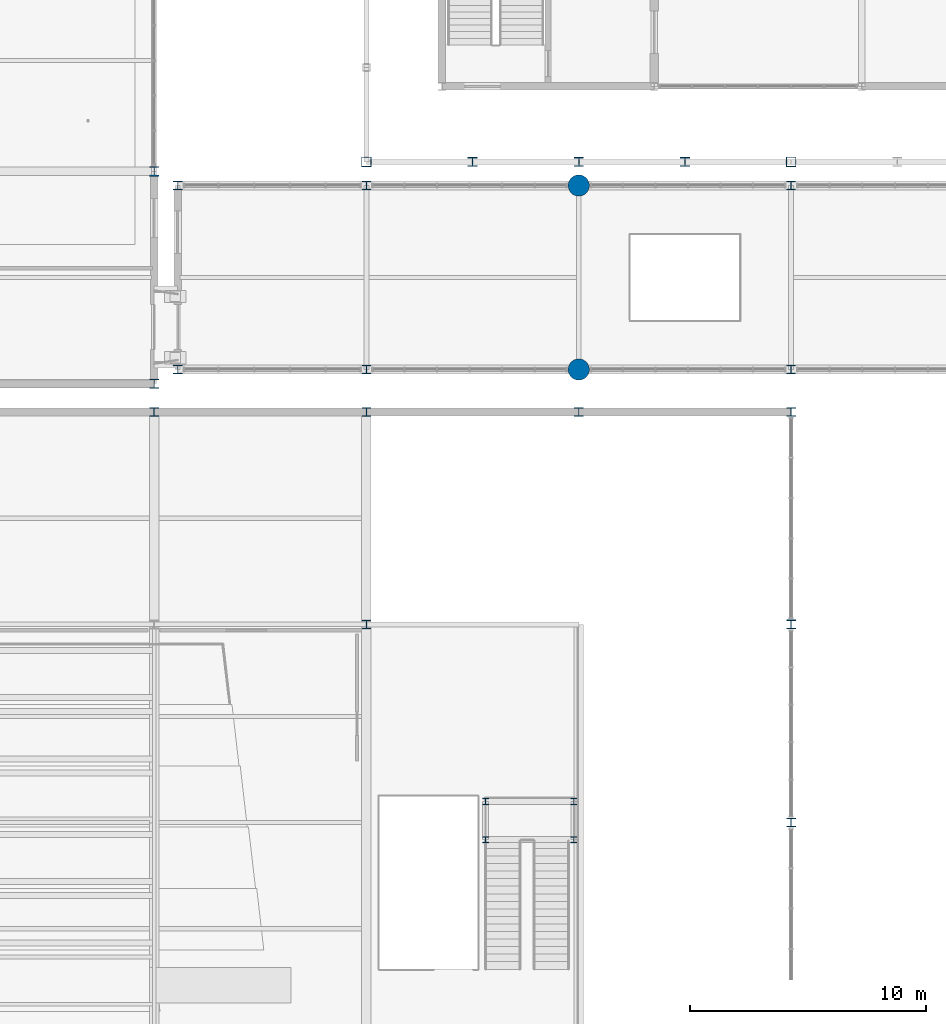
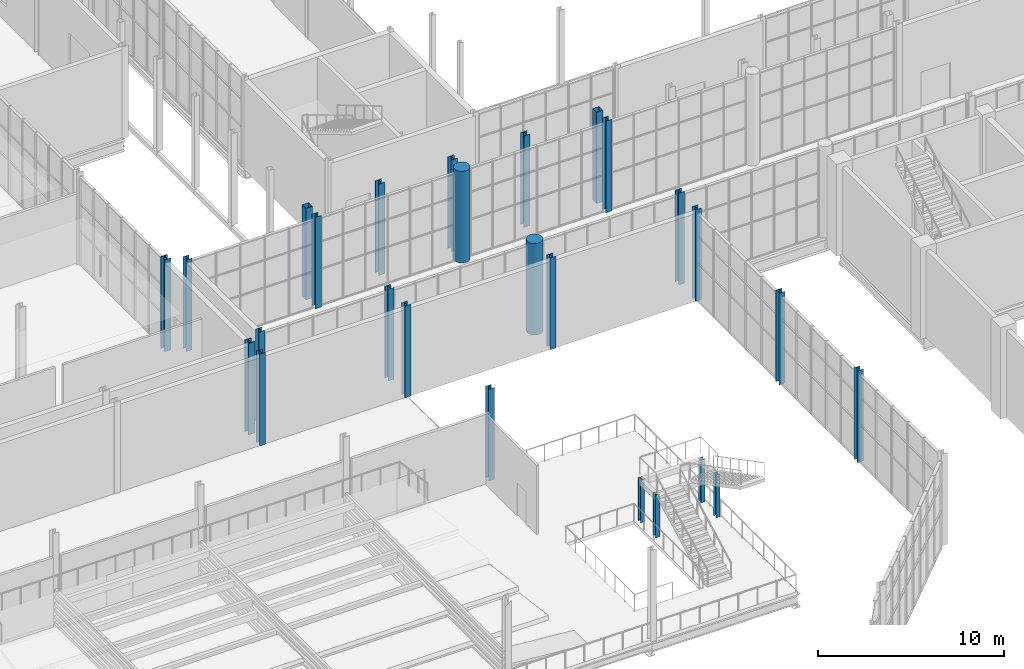
# One storey, part 4 of 159: 26 columns.
"""IFC4 building model written with IfcOpenShell, lengths in metres."""

from ifc_helpers import new_model, si_unit, direction, frame, origin, origin_2d, place, context, subcontext, project, spatial, hollow_rectangle, circle, i_section, extrude, material, material_profile, profile_set, type_object, element, save


model = new_model("IFC4")

# Units and contexts
model_context = context("Model", 3, precision=1e-05, world=origin(), true_north=direction((0.0, 1.0)))
body_context = subcontext(model_context, "Body", "Model", "MODEL_VIEW")
ifc_project = project(units=[si_unit("LENGTHUNIT", "METRE"), si_unit("AREAUNIT", "SQUARE_METRE"), si_unit("VOLUMEUNIT", "CUBIC_METRE"), si_unit("PLANEANGLEUNIT", "RADIAN"), si_unit("MASSUNIT", "GRAM", prefix="KILO")], contexts=[model_context])

# Site, building, storey
site_placement = place(None, origin())
site = spatial("IfcSite", under=ifc_project, at=site_placement, CompositionType="ELEMENT")
building_placement = place(site_placement, origin())
building = spatial("IfcBuilding", under=site, at=building_placement, Name="Cazmaro Siding Exhibition Halls", CompositionType="ELEMENT")
storey_placement = place(building_placement, frame((0.0, 0.0, 6.0)))
storey = spatial("IfcBuildingStorey", under=building, at=storey_placement, Name="L01", CompositionType="ELEMENT", Elevation=6.0)

# Columns
ifc_material_1 = material(Name="Steel ASTM A992 Grade 50", Category="steel")
ifc_material_profile_1 = material_profile(ifc_material_1, i_section(OverallWidth=0.406005859375, OverallDepth=0.416015625, WebThickness=0.030029296875, FlangeThickness=0.048095703125, at=origin_2d()), Name="W14X257")
ifc_profile_set_1 = profile_set([ifc_material_profile_1], Name="Steel ASTM A992 Grade 50")
column_type_1 = type_object("IfcColumnType", Name="C-01", PredefinedType="COLUMN", material=ifc_profile_set_1)
for number, where, z_axis, x_axis, name in (
    (1, (36.0, 54.60009765625, 0.0), (0.0, 0.0, 1.0), (1.0, 0.0, 0.0), "Column C-01 COL-1042"),
    (2, (36.0, 63.60009765625, 0.0), (0.0, 0.0, 1.0), (1.0, 0.0, 0.0), "Column C-01 COL-1046"),
):
    element("IfcColumn", number, at=place(storey_placement, frame(where, z_axis=z_axis, x_axis=x_axis)), inside=storey, type_object=column_type_1, Name=name, PredefinedType="COLUMN", context=body_context, shape_type="SweptSolid", body=[
        extrude(i_section(OverallWidth=0.406005859375, OverallDepth=0.416015625, WebThickness=0.030029296875, FlangeThickness=0.048095703125, at=origin_2d()), origin(), (0.0, 0.0, 1.0), 6.0),
    ])
ifc_material_2 = material(Name="Steel ASTM A992 Grade 50", Category="steel")
ifc_material_profile_2 = material_profile(ifc_material_2, i_section(OverallWidth=0.39208984375, OverallDepth=0.3759765625, WebThickness=0.01708984375, FlangeThickness=0.028076171875, at=origin_2d()), Name="W14X145")
ifc_profile_set_2 = profile_set([ifc_material_profile_2], Name="Steel ASTM A992 Grade 50")
column_type_2 = type_object("IfcColumnType", Name="C-03", PredefinedType="COLUMN", material=ifc_profile_set_2)
for number, where, z_axis, x_axis, name in (
    (3, (49.5, 64.0, 0.0), (0.0, 0.0, 1.0), (1.0, 0.0, 0.0), "Column C-03 COL-0008"),
    (4, (58.5, 64.0, 0.0), (0.0, 0.0, 1.0), (1.0, 0.0, 0.0), "Column C-03 COL-0020"),
):
    element("IfcColumn", number, at=place(storey_placement, frame(where, z_axis=z_axis, x_axis=x_axis)), inside=storey, type_object=column_type_2, Name=name, PredefinedType="COLUMN", context=body_context, shape_type="SweptSolid", body=[
        extrude(i_section(OverallWidth=0.39208984375, OverallDepth=0.3759765625, WebThickness=0.01708984375, FlangeThickness=0.028076171875, at=origin_2d()), origin(), (0.0, 0.0, 1.0), 6.0),
    ])
ifc_material_3 = material(Name="Steel ASTM A992 Grade 50", Category="steel")
ifc_material_profile_3 = material_profile(ifc_material_3, i_section(OverallWidth=0.373046875, OverallDepth=0.373046875, WebThickness=0.01611328125, FlangeThickness=0.02587890625, at=origin_2d()), Name="W14X132")
ifc_profile_set_3 = profile_set([ifc_material_profile_3], Name="Steel ASTM A992 Grade 50")
column_type_3 = type_object("IfcColumnType", Name="C-04", PredefinedType="COLUMN", material=ifc_profile_set_3)
for number, where, z_axis, x_axis, name in (
    (5, (63.0, 36.0, 0.0), (0.0, 0.0, 1.0), (1.0, 0.0, 0.0), "Column C-04 COL-0818"),
    (6, (63.0, 44.39990234375, 0.0), (0.0, 0.0, 1.0), (1.0, 0.0, 0.0), "Column C-04 COL-0821"),
    (7, (63.0, 53.39990234375, 0.0), (0.0, 0.0, 1.0), (1.0, 0.0, 0.0), "Column C-04 COL-0824"),
    (8, (54.0, 53.39990234375, 0.0), (0.0, 0.0, 1.0), (1.0, 0.0, 0.0), "Column C-04 COL-0827"),
    (9, (45.0, 53.39990234375, 0.0), (0.0, 0.0, 1.0), (1.0, 0.0, 0.0), "Column C-04 COL-0830"),
    (10, (36.0, 53.39990234375, 0.0), (0.0, 0.0, 1.0), (1.0, 0.0, 0.0), "Column C-04 COL-0833"),
):
    element("IfcColumn", number, at=place(storey_placement, frame(where, z_axis=z_axis, x_axis=x_axis)), inside=storey, type_object=column_type_3, Name=name, PredefinedType="COLUMN", context=body_context, shape_type="SweptSolid", body=[
        extrude(i_section(OverallWidth=0.373046875, OverallDepth=0.373046875, WebThickness=0.01611328125, FlangeThickness=0.02587890625, at=origin_2d()), origin(), (0.0, 0.0, 1.0), 6.0),
    ])
ifc_material_4 = material(Name="Steel ASTM A992 Grade 50", Category="steel")
ifc_material_profile_4 = material_profile(ifc_material_4, i_section(OverallWidth=0.367919921875, OverallDepth=0.35595703125, WebThickness=0.010986328125, FlangeThickness=0.01806640625, at=origin_2d()), Name="W14X90")
ifc_profile_set_4 = profile_set([ifc_material_profile_4], Name="Steel ASTM A992 Grade 50")
column_type_4 = type_object("IfcColumnType", Name="C-05", PredefinedType="COLUMN", material=ifc_profile_set_4)
column_1_placement = place(storey_placement, frame((45.0, 44.39990234375, 0.0), z_axis=(0.0, 0.0, 1.0), x_axis=(1.0, 0.0, 0.0)))
element("IfcColumn", 11, at=column_1_placement, inside=storey, type_object=column_type_4, Name="Column C-05 COL-0878", PredefinedType="COLUMN", context=body_context, shape_type="SweptSolid", body=[
    extrude(i_section(OverallWidth=0.367919921875, OverallDepth=0.35595703125, WebThickness=0.010986328125, FlangeThickness=0.01806640625, at=origin_2d()), origin(), (0.0, 0.0, 1.0), 6.0),
])
ifc_material_5 = material(Name="Concrete f'c 45 MPa", Category="concrete")
ifc_material_profile_5 = material_profile(ifc_material_5, circle(Radius=0.449951171875, at=origin_2d()), Name="RC900DIA")
ifc_profile_set_5 = profile_set([ifc_material_profile_5], Name="Concrete f'c 45 MPa")
column_type_5 = type_object("IfcColumnType", Name="C-09", PredefinedType="COLUMN", material=ifc_profile_set_5)
for number, where, z_axis, x_axis, name in (
    (12, (54.0, 55.199951171875, 0.0), (0.0, 0.0, 1.0), (1.0, 0.0, 0.0), "Column C-09 COL-0718"),
    (13, (54.0, 63.0, 0.0), (0.0, 0.0, 1.0), (1.0, 0.0, 0.0), "Column C-09 COL-0721"),
):
    element("IfcColumn", number, at=place(storey_placement, frame(where, z_axis=z_axis, x_axis=x_axis)), inside=storey, type_object=column_type_5, Name=name, PredefinedType="COLUMN", context=body_context, shape_type="SweptSolid", body=[
        extrude(circle(Radius=0.449951171875, at=origin_2d()), origin(), (0.0, 0.0, 1.0), 6.0),
    ])
ifc_material_6 = material(Name="Steel ASTM A992 Grade 50", Category="steel")
ifc_material_profile_6 = material_profile(ifc_material_6, i_section(OverallWidth=0.39892578125, OverallDepth=0.386962890625, WebThickness=0.02099609375, FlangeThickness=0.032958984375, at=origin_2d()), Name="W14X176")
ifc_profile_set_6 = profile_set([ifc_material_profile_6], Name="Steel ASTM A992 Grade 50")
column_type_6 = type_object("IfcColumnType", Name="C-11", PredefinedType="COLUMN", material=ifc_profile_set_6)
column_2_placement = place(storey_placement, frame((54.0, 64.0, 0.0), z_axis=(0.0, 0.0, 1.0), x_axis=(1.0, 0.0, 0.0)))
element("IfcColumn", 14, at=column_2_placement, inside=storey, type_object=column_type_6, Name="Column C-11 COL-0014", PredefinedType="COLUMN", context=body_context, shape_type="SweptSolid", body=[
    extrude(i_section(OverallWidth=0.39892578125, OverallDepth=0.386962890625, WebThickness=0.02099609375, FlangeThickness=0.032958984375, at=origin_2d()), origin(), (0.0, 0.0, 1.0), 6.0),
])
ifc_material_7 = material(Name="Steel ASTM A992 Grade 50", Category="steel")
ifc_material_profile_7 = material_profile(ifc_material_7, i_section(OverallWidth=0.37109375, OverallDepth=0.364013671875, WebThickness=0.012939453125, FlangeThickness=0.02197265625, at=origin_2d()), Name="W14X109")
ifc_profile_set_7 = profile_set([ifc_material_profile_7], Name="Steel ASTM A992 Grade 50")
column_type_7 = type_object("IfcColumnType", Name="C-12", PredefinedType="COLUMN", material=ifc_profile_set_7)
for number, where, z_axis, x_axis, name in (
    (15, (37.0, 55.199951171875, 0.0), (0.0, 0.0, 1.0), (1.0, 0.0, 0.0), "Column C-12 COL-0706"),
    (16, (37.0, 63.0, 0.0), (0.0, 0.0, 1.0), (1.0, 0.0, 0.0), "Column C-12 COL-0709"),
    (17, (45.0, 55.199951171875, 0.0), (0.0, 0.0, 1.0), (1.0, 0.0, 0.0), "Column C-12 COL-0712"),
    (18, (45.0, 63.0, 0.0), (0.0, 0.0, 1.0), (1.0, 0.0, 0.0), "Column C-12 COL-0715"),
    (19, (63.0, 55.199951171875, 0.0), (0.0, 0.0, 1.0), (1.0, 0.0, 0.0), "Column C-12 COL-0724"),
    (20, (63.0, 63.0, 0.0), (0.0, 0.0, 1.0), (1.0, 0.0, 0.0), "Column C-12 COL-0727"),
):
    element("IfcColumn", number, at=place(storey_placement, frame(where, z_axis=z_axis, x_axis=x_axis)), inside=storey, type_object=column_type_7, Name=name, PredefinedType="COLUMN", context=body_context, shape_type="SweptSolid", body=[
        extrude(i_section(OverallWidth=0.37109375, OverallDepth=0.364013671875, WebThickness=0.012939453125, FlangeThickness=0.02197265625, at=origin_2d()), origin(), (0.0, 0.0, 1.0), 6.0),
    ])
ifc_material_8 = material(Name="Steel ASTM A992 Grade 50", Category="steel")
ifc_material_profile_8 = material_profile(ifc_material_8, i_section(OverallWidth=0.257080078125, OverallDepth=0.263916015625, WebThickness=0.011962890625, FlangeThickness=0.02001953125, at=origin_2d()), Name="W10X68")
ifc_profile_set_8 = profile_set([ifc_material_profile_8], Name="Steel ASTM A992 Grade 50")
column_type_8 = type_object("IfcColumnType", Name="C-14", PredefinedType="COLUMN", material=ifc_profile_set_8)
for number, where, z_axis, x_axis, name in (
    (21, (50.050048828125, 35.27001953125, 0.0), (0.0, 0.0, 1.0), (1.0, 0.0, 0.0), "Column C-14 COL-1182"),
    (22, (50.050048828125, 36.889892578125, 0.0), (0.0, 0.0, 1.0), (1.0, 0.0, 0.0), "Column C-14 COL-1184"),
    (23, (53.7900390625, 35.27001953125, 0.0), (0.0, 0.0, 1.0), (1.0, 0.0, 0.0), "Column C-14 COL-1186"),
    (24, (53.7900390625, 36.889892578125, 0.0), (0.0, 0.0, 1.0), (1.0, 0.0, 0.0), "Column C-14 COL-1188"),
):
    element("IfcColumn", number, at=place(storey_placement, frame(where, z_axis=z_axis, x_axis=x_axis)), inside=storey, type_object=column_type_8, Name=name, PredefinedType="COLUMN", context=body_context, shape_type="SweptSolid", body=[
        extrude(i_section(OverallWidth=0.257080078125, OverallDepth=0.263916015625, WebThickness=0.011962890625, FlangeThickness=0.02001953125, at=origin_2d()), origin(), (0.0, 0.0, 1.0), 2.800048828125),
    ])
ifc_material_9 = material(Name="Steel ASTM A500 Grade C", Category="steel")
ifc_material_profile_9 = material_profile(ifc_material_9, hollow_rectangle(XDim=0.406005859375, YDim=0.406005859375, WallThickness=0.014892578125, at=origin_2d()), Name="HSS16X16X5/8")
ifc_profile_set_9 = profile_set([ifc_material_profile_9], Name="Steel ASTM A500 Grade C")
column_type_9 = type_object("IfcColumnType", Name="PL-01", PredefinedType="PILASTER", material=ifc_profile_set_9)
for number, where, z_axis, x_axis, name in (
    (25, (45.0, 64.0, 0.0), (0.0, 0.0, 1.0), (1.0, 0.0, 0.0), "Column PL-01 COL-0002"),
    (26, (63.0, 64.0, 0.0), (0.0, 0.0, 1.0), (1.0, 0.0, 0.0), "Column PL-01 COL-0026"),
):
    element("IfcColumn", number, at=place(storey_placement, frame(where, z_axis=z_axis, x_axis=x_axis)), inside=storey, type_object=column_type_9, Name=name, PredefinedType="PILASTER", context=body_context, shape_type="SweptSolid", body=[
        extrude(hollow_rectangle(XDim=0.406005859375, YDim=0.406005859375, WallThickness=0.014892578125, at=origin_2d()), origin(), (0.0, 0.0, 1.0), 6.0),
    ])

save(model, "model.ifc")
